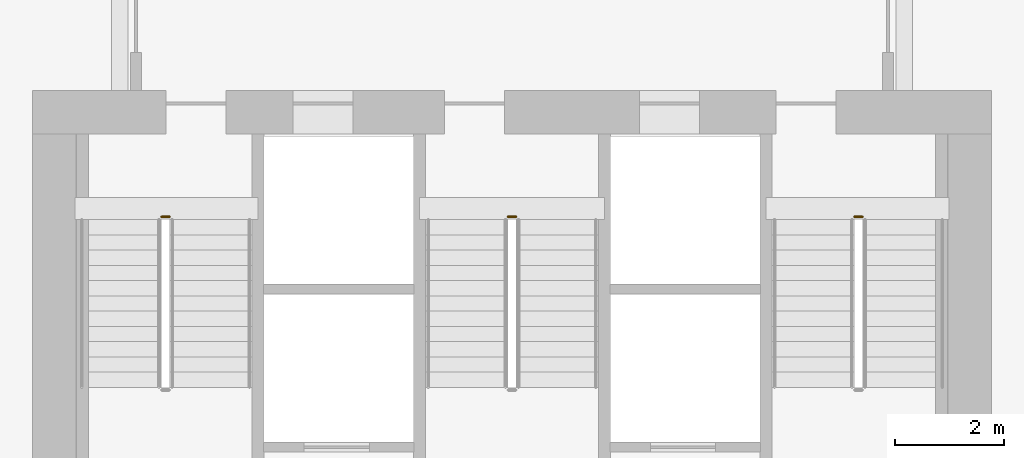
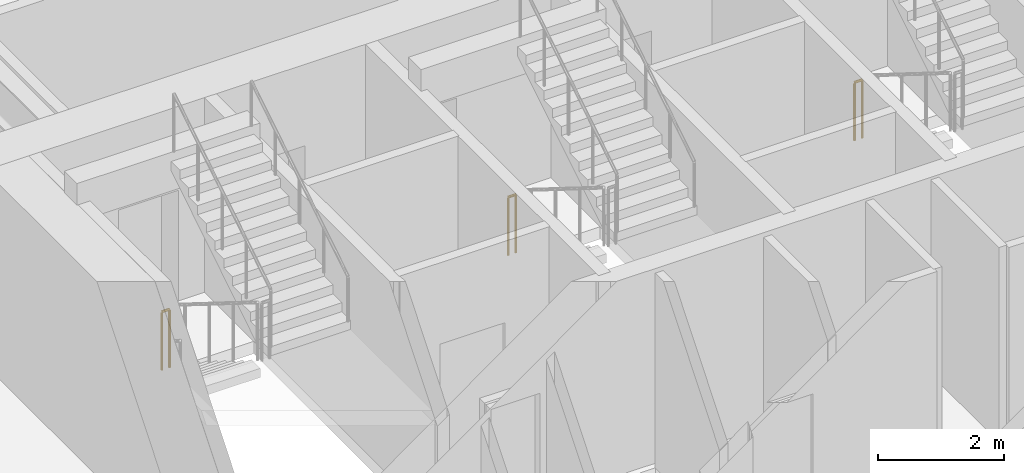
# One storey, part 31 of 32: 3 railings.
"""IFC4 building model written with IfcOpenShell, lengths in metres."""

from ifc_helpers import new_model, si_unit, direction, frame, origin, origin_2d, place, context, subcontext, project, spatial, circle, extrude, material, type_object, element, save


model = new_model("IFC4")

# Units and contexts
model_context = context("Model", 3, precision=1e-05, world=origin(), true_north=direction((0.0, 1.0)))
body_context = subcontext(model_context, "Body", "Model", "MODEL_VIEW")
ifc_project = project(units=[si_unit("LENGTHUNIT", "METRE"), si_unit("AREAUNIT", "SQUARE_METRE"), si_unit("VOLUMEUNIT", "CUBIC_METRE"), si_unit("PLANEANGLEUNIT", "RADIAN"), si_unit("MASSUNIT", "GRAM", prefix="KILO")], contexts=[model_context])

# Site, building, storey
site_placement = place(None, origin())
site = spatial("IfcSite", under=ifc_project, at=site_placement, CompositionType="ELEMENT")
building_placement = place(site_placement, origin())
building = spatial("IfcBuilding", under=site, at=building_placement, Name="Haolan Belvedere Tower", CompositionType="ELEMENT")
storey_placement = place(building_placement, frame((0.0, 0.0, 15.60009765625)))
storey = spatial("IfcBuildingStorey", under=building, at=storey_placement, Name="L03", CompositionType="ELEMENT", Elevation=15.60009765625)

# Railings
ifc_material = material(Name="Brushed stainless steel 304", Category="steel")
railing_type = type_object("IfcRailingType", Name="RL-STAIR-GRD-1150", PredefinedType="GUARDRAIL", material=ifc_material)
railing_1_placement = place(storey_placement, frame((31.969970703125, 41.280029296875, 0.0)))
element("IfcRailing", 1, at=railing_1_placement, inside=storey, type_object=railing_type, Name="L03 ST1 stair guard 4", PredefinedType="GUARDRAIL", context=body_context, shape_type="SweptSolid", body=[
    extrude(circle(Radius=0.02392578125, at=origin_2d()), frame((0.0, 0.0, 1.1259765625), z_axis=(1.0, 0.0, 0.0), x_axis=(0.0, 1.0, 0.0)), (0.0, 0.0, 1.0), 0.14013671875),
    extrude(circle(Radius=0.02099609375, at=origin_2d()), origin(), (0.0, 0.0, 1.0), 1.101806640625),
    extrude(circle(Radius=0.02099609375, at=origin_2d()), frame((0.14013671875, 0.0, 0.0)), (0.0, 0.0, 1.0), 1.101806640625),
])
railing_2_placement = place(storey_placement, frame((38.330078125, 41.280029296875, 0.0)))
element("IfcRailing", 2, at=railing_2_placement, inside=storey, type_object=railing_type, Name="L03 ST3 stair guard 4", PredefinedType="GUARDRAIL", context=body_context, shape_type="SweptSolid", body=[
    extrude(circle(Radius=0.02392578125, at=origin_2d()), frame((0.0, 0.0, 1.1259765625), z_axis=(1.0, 0.0, 0.0), x_axis=(0.0, 1.0, 0.0)), (0.0, 0.0, 1.0), 0.139892578125),
    extrude(circle(Radius=0.02099609375, at=origin_2d()), origin(), (0.0, 0.0, 1.0), 1.101806640625),
    extrude(circle(Radius=0.02099609375, at=origin_2d()), frame((0.139892578125, 0.0, 0.0)), (0.0, 0.0, 1.0), 1.101806640625),
])
railing_3_placement = place(storey_placement, frame((44.68994140625, 41.280029296875, 0.0)))
element("IfcRailing", 3, at=railing_3_placement, inside=storey, type_object=railing_type, Name="L03 ST2 stair guard 4", PredefinedType="GUARDRAIL", context=body_context, shape_type="SweptSolid", body=[
    extrude(circle(Radius=0.02392578125, at=origin_2d()), frame((0.0, 0.0, 1.1259765625), z_axis=(1.0, 0.0, 0.0), x_axis=(0.0, 1.0, 0.0)), (0.0, 0.0, 1.0), 0.14013671875),
    extrude(circle(Radius=0.02099609375, at=origin_2d()), origin(), (0.0, 0.0, 1.0), 1.101806640625),
    extrude(circle(Radius=0.02099609375, at=origin_2d()), frame((0.14013671875, 0.0, 0.0)), (0.0, 0.0, 1.0), 1.101806640625),
])

save(model, "model.ifc")
